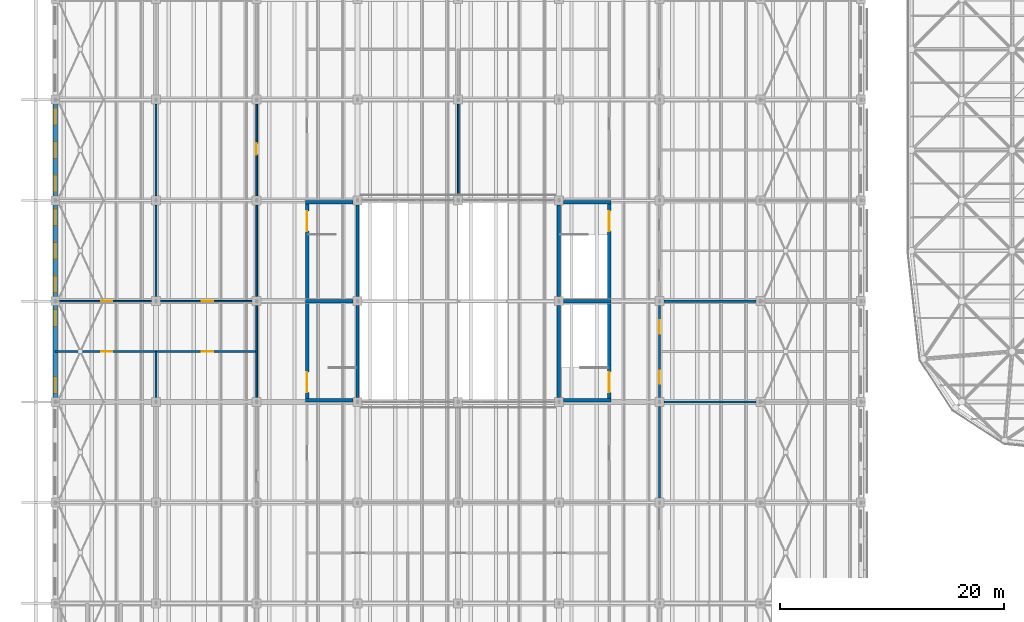
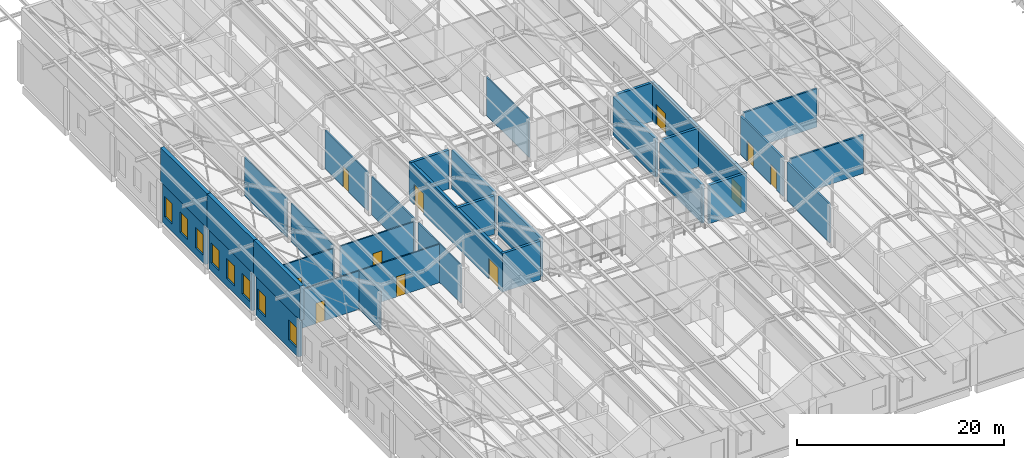
# One storey, part 265 of 437: 32 walls, 11 doors, 8 windows, 19 openings.
"""IFC4 building model written with IfcOpenShell, lengths in metres."""

from ifc_helpers import new_model, si_unit, direction, frame, frame_2d, origin, place, context, subcontext, project, spatial, rectangle, extrude, material, layer, layer_set, type_object, element, fill, save


model = new_model("IFC4")

# Units and contexts
model_context = context("Model", 3, precision=1e-05, world=origin(), true_north=direction((0.0, 1.0)))
body_context = subcontext(model_context, "Body", "Model", "MODEL_VIEW")
ifc_project = project(units=[si_unit("LENGTHUNIT", "METRE"), si_unit("AREAUNIT", "SQUARE_METRE"), si_unit("VOLUMEUNIT", "CUBIC_METRE"), si_unit("PLANEANGLEUNIT", "RADIAN"), si_unit("MASSUNIT", "GRAM", prefix="KILO")], contexts=[model_context])

# Site, building, storey
site_placement = place(None, origin())
site = spatial("IfcSite", under=ifc_project, at=site_placement, CompositionType="ELEMENT")
building_placement = place(site_placement, origin())
building = spatial("IfcBuilding", under=site, at=building_placement, Name="Opaline Strait Convention Centre", CompositionType="ELEMENT")
storey_placement = place(building_placement, frame((0.0, 0.0, 11.5)))
storey = spatial("IfcBuildingStorey", under=building, at=storey_placement, Name="L02", CompositionType="ELEMENT", Elevation=11.5)

# Walls
ifc_material_1 = material(Name="Gypsum board on metal studs with mineral wool")
ifc_layer_1 = layer(ifc_material_1, 0.199951171875)
ifc_layer_set_1 = layer_set([ifc_layer_1], Name="Gypsum board on metal studs with mineral wool")
wall_type_1 = type_object("IfcWallType", Name="Fire partition 200", PredefinedType="PARTITIONING", material=ifc_layer_set_1)
for number, where, z_axis, x_axis, name in (
    (1, (63.39990234375, 45.0, 0.0), (0.0, 0.0, 1.0), (1.0, 0.0, 0.0), "L02 partition"),
    (2, (63.39990234375, 54.0, 0.0), (0.0, 0.0, 1.0), (1.0, 0.0, 0.0), "L02 partition"),
    (3, (63.0, 36.39990234375, 0.0), (0.0, 0.0, 1.0), (0.0, 1.0, 0.0), "L02 partition"),
):
    element("IfcWall", number, at=place(storey_placement, frame(where, z_axis=z_axis, x_axis=x_axis)), inside=storey, type_object=wall_type_1, Name=name, PredefinedType="PARTITIONING", context=body_context, shape_type="SweptSolid", body=[
        extrude(rectangle(XDim=8.2001953125, YDim=0.199951171875, at=frame_2d((4.10009765625, 0.0))), origin(), (0.0, 0.0, 1.0), 4.550048828125),
    ])

# Wall, openings, doors
wall_1_placement = place(storey_placement, frame((63.0, 45.39990234375, 0.0), z_axis=(0.0, 0.0, 1.0), x_axis=(0.0, 1.0, 0.0)))
wall_1 = element("IfcWall", 4, at=wall_1_placement, inside=storey, type_object=wall_type_1, Name="L02 partition", PredefinedType="PARTITIONING", context=body_context, shape_type="SweptSolid", body=[
    extrude(rectangle(XDim=8.2001953125, YDim=0.199951171875, at=frame_2d((4.10009765625, 0.0))), origin(), (0.0, 0.0, 1.0), 4.550048828125),
])
opening_1_placement = place(wall_1_placement, frame((1.199951171875, 0.0, 0.0)))
opening_1 = element("IfcOpeningElement", 5, at=opening_1_placement, cuts=wall_1, Name="Opening R2-047", PredefinedType="OPENING", context=body_context, shape_type="SweptSolid", body=[
    extrude(rectangle(XDim=1.199951171875, YDim=2.39990234375, at=frame_2d((0.60009765625, 1.199951171875))), frame((0.0, 0.10986328125, 0.0), z_axis=(0.0, -1.0, 0.0), x_axis=(1.0, 0.0, 0.0)), (0.0, 0.0, 1.0), 0.219970703125),
])
opening_2_placement = place(wall_1_placement, frame((5.699951171875, 0.0, 0.0)))
opening_2 = element("IfcOpeningElement", 6, at=opening_2_placement, cuts=wall_1, Name="Opening R2-048", PredefinedType="OPENING", context=body_context, shape_type="SweptSolid", body=[
    extrude(rectangle(XDim=1.199951171875, YDim=2.39990234375, at=frame_2d((0.60009765625, 1.199951171875))), frame((0.0, 0.10986328125, 0.0), z_axis=(0.0, -1.0, 0.0), x_axis=(1.0, 0.0, 0.0)), (0.0, 0.0, 1.0), 0.219970703125),
])
ifc_material_2 = material(Name="Galvanised steel door leaf", Category="steel")
door_type_1 = type_object("IfcDoorType", Name="Plant door 1200x2400 FD60", OperationType="SINGLE_SWING_LEFT", PredefinedType="DOOR", material=ifc_material_2)
door_1_placement = place(opening_1_placement, frame((1.199951171875, 0.0, 0.0), z_axis=(0.0, 0.0, 1.0), x_axis=(-1.0, 0.0, 0.0)))
door_1 = element("IfcDoor", 7, at=door_1_placement, inside=storey, type_object=door_type_1, Name="Electrical Room door R2-047", ObjectType="RD6", OperationType="SINGLE_SWING_LEFT", OverallHeight=2.39990234375, OverallWidth=1.199951171875, PredefinedType="DOOR", context=body_context, shape_type="SweptSolid", body=[
    extrude(rectangle(XDim=1.199951171875, YDim=2.39990234375, at=frame_2d((0.60009765625, 1.199951171875))), frame((0.0, 0.02490234375, 0.0), z_axis=(0.0, -1.0, 0.0), x_axis=(1.0, 0.0, 0.0)), (0.0, 0.0, 1.0), 0.050048828125),
])
fill(opening_1, door_1)
door_2_placement = place(opening_2_placement, frame((1.199951171875, 0.0, 0.0), z_axis=(0.0, 0.0, 1.0), x_axis=(-1.0, 0.0, 0.0)))
door_2 = element("IfcDoor", 8, at=door_2_placement, inside=storey, type_object=door_type_1, Name="Communications Room door R2-048", ObjectType="RD6", OperationType="SINGLE_SWING_LEFT", OverallHeight=2.39990234375, OverallWidth=1.199951171875, PredefinedType="DOOR", context=body_context, shape_type="SweptSolid", body=[
    extrude(rectangle(XDim=1.199951171875, YDim=2.39990234375, at=frame_2d((0.60009765625, 1.199951171875))), frame((0.0, 0.02490234375, 0.0), z_axis=(0.0, -1.0, 0.0), x_axis=(1.0, 0.0, 0.0)), (0.0, 0.0, 1.0), 0.050048828125),
])
fill(opening_2, door_2)

ifc_layer_2 = layer(ifc_material_1, 0.14990234375)
ifc_layer_set_2 = layer_set([ifc_layer_2], Name="Gypsum board on metal studs with mineral wool")
wall_type_2 = type_object("IfcWallType", Name="Partition 150", PredefinedType="PARTITIONING", material=ifc_layer_set_2)
wall_2_placement = place(storey_placement, frame((9.0, 49.5, 0.0), z_axis=(0.0, 0.0, 1.0), x_axis=(1.0, 0.0, 0.0)))
wall_2 = element("IfcWall", 9, at=wall_2_placement, inside=storey, type_object=wall_type_2, Name="L02 partition", PredefinedType="PARTITIONING", context=body_context, shape_type="SweptSolid", body=[
    extrude(rectangle(XDim=18.0, YDim=0.14990234375, at=frame_2d((9.0, 0.0))), origin(), (0.0, 0.0, 1.0), 4.550048828125),
])
opening_3_placement = place(wall_2_placement, frame((4.10009765625, 0.0, 0.0)))
opening_3 = element("IfcOpeningElement", 10, at=opening_3_placement, cuts=wall_2, Name="Opening R2-040", PredefinedType="OPENING", context=body_context, shape_type="SweptSolid", body=[
    extrude(rectangle(XDim=1.0, YDim=2.39990234375, at=frame_2d((0.5, 1.199951171875))), frame((0.0, 0.0849609375, 0.0), z_axis=(0.0, -1.0, 0.0), x_axis=(1.0, 0.0, 0.0)), (0.0, 0.0, 1.0), 0.169921875),
])
opening_4_placement = place(wall_2_placement, frame((13.10009765625, 0.0, 0.0)))
opening_4 = element("IfcOpeningElement", 11, at=opening_4_placement, cuts=wall_2, Name="Opening R2-042", PredefinedType="OPENING", context=body_context, shape_type="SweptSolid", body=[
    extrude(rectangle(XDim=1.0, YDim=2.39990234375, at=frame_2d((0.5, 1.199951171875))), frame((0.0, 0.0849609375, 0.0), z_axis=(0.0, -1.0, 0.0), x_axis=(1.0, 0.0, 0.0)), (0.0, 0.0, 1.0), 0.169921875),
])
ifc_material_3 = material(Name="Timber door leaf in steel frame", Category="steel")
door_type_2 = type_object("IfcDoorType", Name="Door 1000x2400 single FD30", OperationType="SINGLE_SWING_LEFT", PredefinedType="DOOR", material=ifc_material_3)
door_3_placement = place(opening_3_placement, origin())
door_3 = element("IfcDoor", 12, at=door_3_placement, inside=storey, type_object=door_type_2, Name="Delegate Office Suite 2.04 door R2-040", ObjectType="RD1", OperationType="SINGLE_SWING_LEFT", OverallHeight=2.39990234375, OverallWidth=1.0, PredefinedType="DOOR", context=body_context, shape_type="SweptSolid", body=[
    extrude(rectangle(XDim=1.0, YDim=2.39990234375, at=frame_2d((0.5, 1.199951171875))), frame((0.0, 0.02490234375, 0.0), z_axis=(0.0, -1.0, 0.0), x_axis=(1.0, 0.0, 0.0)), (0.0, 0.0, 1.0), 0.050048828125),
])
fill(opening_3, door_3)
door_4_placement = place(opening_4_placement, origin())
door_4 = element("IfcDoor", 13, at=door_4_placement, inside=storey, type_object=door_type_2, Name="Delegate Office Suite 2.05 door R2-042", ObjectType="RD1", OperationType="SINGLE_SWING_LEFT", OverallHeight=2.39990234375, OverallWidth=1.0, PredefinedType="DOOR", context=body_context, shape_type="SweptSolid", body=[
    extrude(rectangle(XDim=1.0, YDim=2.39990234375, at=frame_2d((0.5, 1.199951171875))), frame((0.0, 0.02490234375, 0.0), z_axis=(0.0, -1.0, 0.0), x_axis=(1.0, 0.0, 0.0)), (0.0, 0.0, 1.0), 0.050048828125),
])
fill(opening_4, door_4)

# Wall, opening, door
wall_3_placement = place(storey_placement, frame((9.39990234375, 54.0, 0.0), z_axis=(0.0, 0.0, 1.0), x_axis=(1.0, 0.0, 0.0)))
wall_3 = element("IfcWall", 14, at=wall_3_placement, inside=storey, type_object=wall_type_2, Name="L02 partition", PredefinedType="PARTITIONING", context=body_context, shape_type="SweptSolid", body=[
    extrude(rectangle(XDim=8.2001953125, YDim=0.14990234375, at=frame_2d((4.10009765625, 0.0))), origin(), (0.0, 0.0, 1.0), 4.550048828125),
])
opening_5_placement = place(wall_3_placement, frame((3.699951171875, 0.0, 0.0)))
opening_5 = element("IfcOpeningElement", 15, at=opening_5_placement, cuts=wall_3, Name="Opening R2-043", PredefinedType="OPENING", context=body_context, shape_type="SweptSolid", body=[
    extrude(rectangle(XDim=1.0, YDim=2.39990234375, at=frame_2d((0.5, 1.199951171875))), frame((0.0, 0.0849609375, 0.0), z_axis=(0.0, -1.0, 0.0), x_axis=(1.0, 0.0, 0.0)), (0.0, 0.0, 1.0), 0.169921875),
])
door_5_placement = place(opening_5_placement, frame((1.0, 0.0, 0.0), z_axis=(0.0, 0.0, 1.0), x_axis=(-1.0, 0.0, 0.0)))
door_5 = element("IfcDoor", 16, at=door_5_placement, inside=storey, type_object=door_type_2, Name="Delegate Office Suite 2.06 door R2-043", ObjectType="RD1", OperationType="SINGLE_SWING_LEFT", OverallHeight=2.39990234375, OverallWidth=1.0, PredefinedType="DOOR", context=body_context, shape_type="SweptSolid", body=[
    extrude(rectangle(XDim=1.0, YDim=2.39990234375, at=frame_2d((0.5, 1.199951171875))), frame((0.0, 0.02490234375, 0.0), z_axis=(0.0, -1.0, 0.0), x_axis=(1.0, 0.0, 0.0)), (0.0, 0.0, 1.0), 0.050048828125),
])
fill(opening_5, door_5)

wall_4_placement = place(storey_placement, frame((18.39990234375, 54.0, 0.0), z_axis=(0.0, 0.0, 1.0), x_axis=(1.0, 0.0, 0.0)))
wall_4 = element("IfcWall", 17, at=wall_4_placement, inside=storey, type_object=wall_type_2, Name="L02 partition", PredefinedType="PARTITIONING", context=body_context, shape_type="SweptSolid", body=[
    extrude(rectangle(XDim=8.2001953125, YDim=0.14990234375, at=frame_2d((4.10009765625, 0.0))), origin(), (0.0, 0.0, 1.0), 4.550048828125),
])
opening_6_placement = place(wall_4_placement, frame((3.699951171875, 0.0, 0.0)))
opening_6 = element("IfcOpeningElement", 18, at=opening_6_placement, cuts=wall_4, Name="Opening R2-045", PredefinedType="OPENING", context=body_context, shape_type="SweptSolid", body=[
    extrude(rectangle(XDim=1.0, YDim=2.39990234375, at=frame_2d((0.5, 1.199951171875))), frame((0.0, 0.0849609375, 0.0), z_axis=(0.0, -1.0, 0.0), x_axis=(1.0, 0.0, 0.0)), (0.0, 0.0, 1.0), 0.169921875),
])
door_6_placement = place(opening_6_placement, frame((1.0, 0.0, 0.0), z_axis=(0.0, 0.0, 1.0), x_axis=(-1.0, 0.0, 0.0)))
door_6 = element("IfcDoor", 19, at=door_6_placement, inside=storey, type_object=door_type_2, Name="Delegate Office Suite 2.07 door R2-045", ObjectType="RD1", OperationType="SINGLE_SWING_LEFT", OverallHeight=2.39990234375, OverallWidth=1.0, PredefinedType="DOOR", context=body_context, shape_type="SweptSolid", body=[
    extrude(rectangle(XDim=1.0, YDim=2.39990234375, at=frame_2d((0.5, 1.199951171875))), frame((0.0, 0.02490234375, 0.0), z_axis=(0.0, -1.0, 0.0), x_axis=(1.0, 0.0, 0.0)), (0.0, 0.0, 1.0), 0.050048828125),
])
fill(opening_6, door_6)

# Walls
wall_5_placement = place(storey_placement, frame((18.0, 45.39990234375, 0.0), z_axis=(0.0, 0.0, 1.0), x_axis=(0.0, 1.0, 0.0)))
element("IfcWall", 20, at=wall_5_placement, inside=storey, type_object=wall_type_2, Name="L02 partition", PredefinedType="PARTITIONING", context=body_context, shape_type="SweptSolid", body=[
    extrude(rectangle(XDim=4.10009765625, YDim=0.14990234375, at=frame_2d((2.050048828125, 0.0))), origin(), (0.0, 0.0, 1.0), 4.550048828125),
])
for number, where, z_axis, x_axis, name in (
    (21, (18.0, 54.39990234375, 0.0), (0.0, 0.0, 1.0), (0.0, 1.0, 0.0), "L02 partition"),
    (22, (18.0, 63.39990234375, 0.0), (0.0, 0.0, 1.0), (0.0, 1.0, 0.0), "L02 partition"),
    (23, (27.0, 45.39990234375, 0.0), (0.0, 0.0, 1.0), (0.0, 1.0, 0.0), "L02 partition"),
    (24, (27.0, 54.39990234375, 0.0), (0.0, 0.0, 1.0), (0.0, 1.0, 0.0), "L02 partition"),
):
    element("IfcWall", number, at=place(storey_placement, frame(where, z_axis=z_axis, x_axis=x_axis)), inside=storey, type_object=wall_type_2, Name=name, PredefinedType="PARTITIONING", context=body_context, shape_type="SweptSolid", body=[
        extrude(rectangle(XDim=8.2001953125, YDim=0.14990234375, at=frame_2d((4.10009765625, 0.0))), origin(), (0.0, 0.0, 1.0), 4.550048828125),
    ])

# Wall, opening, door
wall_6_placement = place(storey_placement, frame((27.0, 63.39990234375, 0.0), z_axis=(0.0, 0.0, 1.0), x_axis=(0.0, 1.0, 0.0)))
wall_6 = element("IfcWall", 25, at=wall_6_placement, inside=storey, type_object=wall_type_2, Name="L02 partition", PredefinedType="PARTITIONING", context=body_context, shape_type="SweptSolid", body=[
    extrude(rectangle(XDim=8.2001953125, YDim=0.14990234375, at=frame_2d((4.10009765625, 0.0))), origin(), (0.0, 0.0, 1.0), 4.550048828125),
])
opening_7_placement = place(wall_6_placement, frame((3.699951171875, 0.0, 0.0)))
opening_7 = element("IfcOpeningElement", 26, at=opening_7_placement, cuts=wall_6, Name="Opening R2-044", PredefinedType="OPENING", context=body_context, shape_type="SweptSolid", body=[
    extrude(rectangle(XDim=1.0, YDim=2.39990234375, at=frame_2d((0.5, 1.199951171875))), frame((0.0, 0.0849609375, 0.0), z_axis=(0.0, -1.0, 0.0), x_axis=(1.0, 0.0, 0.0)), (0.0, 0.0, 1.0), 0.169921875),
])
door_7_placement = place(opening_7_placement, frame((1.0, 0.0, 0.0), z_axis=(0.0, 0.0, 1.0), x_axis=(-1.0, 0.0, 0.0)))
door_7 = element("IfcDoor", 27, at=door_7_placement, inside=storey, type_object=door_type_2, Name="Delegate Office Suite 2.07 door R2-044", ObjectType="RD1", OperationType="SINGLE_SWING_LEFT", OverallHeight=2.39990234375, OverallWidth=1.0, PredefinedType="DOOR", context=body_context, shape_type="SweptSolid", body=[
    extrude(rectangle(XDim=1.0, YDim=2.39990234375, at=frame_2d((0.5, 1.199951171875))), frame((0.0, 0.02490234375, 0.0), z_axis=(0.0, -1.0, 0.0), x_axis=(1.0, 0.0, 0.0)), (0.0, 0.0, 1.0), 0.050048828125),
])
fill(opening_7, door_7)

# Wall
wall_7_placement = place(storey_placement, frame((45.0, 63.39990234375, 0.0), z_axis=(0.0, 0.0, 1.0), x_axis=(0.0, 1.0, 0.0)))
element("IfcWall", 28, at=wall_7_placement, inside=storey, type_object=wall_type_2, Name="L02 partition", PredefinedType="PARTITIONING", context=body_context, shape_type="SweptSolid", body=[
    extrude(rectangle(XDim=8.2001953125, YDim=0.14990234375, at=frame_2d((4.10009765625, 0.0))), origin(), (0.0, 0.0, 1.0), 4.550048828125),
])

# Wall, openings, doors
ifc_material_4 = material(Name="Concrete C40", Category="concrete")
ifc_layer_3 = layer(ifc_material_4, 0.300048828125)
ifc_layer_set_3 = layer_set([ifc_layer_3], Name="Concrete C40")
wall_type_3 = type_object("IfcWallType", Name="RC wall 300 C40", PredefinedType="SOLIDWALL", material=ifc_layer_set_3)
wall_8_placement = place(storey_placement, frame((58.5, 45.0, 0.0), z_axis=(0.0, 0.0, 1.0), x_axis=(0.0, 1.0, 0.0)))
wall_8 = element("IfcWall", 29, at=wall_8_placement, inside=storey, type_object=wall_type_3, Name="ME core SPINE wall", PredefinedType="SOLIDWALL", context=body_context, shape_type="SweptSolid", body=[
    extrude(rectangle(XDim=18.0, YDim=0.300048828125, at=frame_2d((9.0, 0.0))), origin(), (0.0, 0.0, 1.0), 4.550048828125),
])
opening_8_placement = place(wall_8_placement, frame((0.85009765625, 0.0, 0.0)))
opening_8 = element("IfcOpeningElement", 30, at=opening_8_placement, cuts=wall_8, Name="Opening R2-023", PredefinedType="OPENING", context=body_context, shape_type="SweptSolid", body=[
    extrude(rectangle(XDim=1.800048828125, YDim=2.39990234375, at=frame_2d((0.89990234375, 1.199951171875))), frame((0.0, 0.159912109375, 0.0), z_axis=(0.0, -1.0, 0.0), x_axis=(1.0, 0.0, 0.0)), (0.0, 0.0, 1.0), 0.320068359375),
])
opening_9_placement = place(wall_8_placement, frame((15.25, 0.0, 0.0)))
opening_9 = element("IfcOpeningElement", 31, at=opening_9_placement, cuts=wall_8, Name="Opening R2-024", PredefinedType="OPENING", context=body_context, shape_type="SweptSolid", body=[
    extrude(rectangle(XDim=1.800048828125, YDim=2.39990234375, at=frame_2d((0.89990234375, 1.199951171875))), frame((0.0, 0.159912109375, 0.0), z_axis=(0.0, -1.0, 0.0), x_axis=(1.0, 0.0, 0.0)), (0.0, 0.0, 1.0), 0.320068359375),
])
ifc_material_5 = material(Name="Timber door leaves in steel frame", Category="steel")
door_type_3 = type_object("IfcDoorType", Name="Stair door 1800x2400 double FD60", OperationType="DOUBLE_DOOR_SINGLE_SWING", PredefinedType="DOOR", material=ifc_material_5)
door_8_placement = place(opening_8_placement, frame((1.800048828125, 0.0, 0.0), z_axis=(0.0, 0.0, 1.0), x_axis=(-1.0, 0.0, 0.0)))
door_8 = element("IfcDoor", 32, at=door_8_placement, inside=storey, type_object=door_type_3, Name="Stair door ME R2-023", ObjectType="RD7", OperationType="DOUBLE_DOOR_SINGLE_SWING", OverallHeight=2.39990234375, OverallWidth=1.800048828125, PredefinedType="DOOR", context=body_context, shape_type="SweptSolid", body=[
    extrude(rectangle(XDim=1.800048828125, YDim=2.39990234375, at=frame_2d((0.89990234375, 1.199951171875))), frame((0.0, 0.02490234375, 0.0), z_axis=(0.0, -1.0, 0.0), x_axis=(1.0, 0.0, 0.0)), (0.0, 0.0, 1.0), 0.050048828125),
])
fill(opening_8, door_8)
door_9_placement = place(opening_9_placement, frame((1.800048828125, 0.0, 0.0), z_axis=(0.0, 0.0, 1.0), x_axis=(-1.0, 0.0, 0.0)))
door_9 = element("IfcDoor", 33, at=door_9_placement, inside=storey, type_object=door_type_3, Name="Stair door ME R2-024", ObjectType="RD7", OperationType="DOUBLE_DOOR_SINGLE_SWING", OverallHeight=2.39990234375, OverallWidth=1.800048828125, PredefinedType="DOOR", context=body_context, shape_type="SweptSolid", body=[
    extrude(rectangle(XDim=1.800048828125, YDim=2.39990234375, at=frame_2d((0.89990234375, 1.199951171875))), frame((0.0, 0.02490234375, 0.0), z_axis=(0.0, -1.0, 0.0), x_axis=(1.0, 0.0, 0.0)), (0.0, 0.0, 1.0), 0.050048828125),
])
fill(opening_9, door_9)

# Walls
for number, where, z_axis, x_axis, name in (
    (34, (54.0, 45.39990234375, 0.0), (0.0, 0.0, 1.0), (0.0, 1.0, 0.0), "ME core COURT wall"),
    (35, (54.0, 54.39990234375, 0.0), (0.0, 0.0, 1.0), (0.0, 1.0, 0.0), "ME core COURT wall"),
):
    element("IfcWall", number, at=place(storey_placement, frame(where, z_axis=z_axis, x_axis=x_axis)), inside=storey, type_object=wall_type_3, Name=name, PredefinedType="SOLIDWALL", context=body_context, shape_type="SweptSolid", body=[
        extrude(rectangle(XDim=8.2001953125, YDim=0.300048828125, at=frame_2d((4.10009765625, 0.0))), origin(), (0.0, 0.0, 1.0), 4.550048828125),
    ])
for number, where, z_axis, x_axis, name in (
    (36, (54.39990234375, 45.14990234375, 0.0), (0.0, 0.0, 1.0), (1.0, 0.0, 0.0), "ME core S wall"),
    (37, (54.39990234375, 54.0, 0.0), (0.0, 0.0, 1.0), (1.0, 0.0, 0.0), "ME core MID wall"),
    (38, (54.39990234375, 62.85009765625, 0.0), (0.0, 0.0, 1.0), (1.0, 0.0, 0.0), "ME core N wall"),
):
    element("IfcWall", number, at=place(storey_placement, frame(where, z_axis=z_axis, x_axis=x_axis)), inside=storey, type_object=wall_type_3, Name=name, PredefinedType="SOLIDWALL", context=body_context, shape_type="SweptSolid", body=[
        extrude(rectangle(XDim=4.25, YDim=0.300048828125, at=frame_2d((2.125, 0.0))), origin(), (0.0, 0.0, 1.0), 4.550048828125),
    ])

# Wall, openings, doors
wall_9_placement = place(storey_placement, frame((31.5, 45.0, 0.0), z_axis=(0.0, 0.0, 1.0), x_axis=(0.0, 1.0, 0.0)))
wall_9 = element("IfcWall", 39, at=wall_9_placement, inside=storey, type_object=wall_type_3, Name="MW core SPINE wall", PredefinedType="SOLIDWALL", context=body_context, shape_type="SweptSolid", body=[
    extrude(rectangle(XDim=18.0, YDim=0.300048828125, at=frame_2d((9.0, 0.0))), origin(), (0.0, 0.0, 1.0), 4.550048828125),
])
opening_10_placement = place(wall_9_placement, frame((0.85009765625, 0.0, 0.0)))
opening_10 = element("IfcOpeningElement", 40, at=opening_10_placement, cuts=wall_9, Name="Opening R2-025", PredefinedType="OPENING", context=body_context, shape_type="SweptSolid", body=[
    extrude(rectangle(XDim=1.800048828125, YDim=2.39990234375, at=frame_2d((0.89990234375, 1.199951171875))), frame((0.0, 0.159912109375, 0.0), z_axis=(0.0, -1.0, 0.0), x_axis=(1.0, 0.0, 0.0)), (0.0, 0.0, 1.0), 0.320068359375),
])
opening_11_placement = place(wall_9_placement, frame((15.25, 0.0, 0.0)))
opening_11 = element("IfcOpeningElement", 41, at=opening_11_placement, cuts=wall_9, Name="Opening R2-026", PredefinedType="OPENING", context=body_context, shape_type="SweptSolid", body=[
    extrude(rectangle(XDim=1.800048828125, YDim=2.39990234375, at=frame_2d((0.89990234375, 1.199951171875))), frame((0.0, 0.159912109375, 0.0), z_axis=(0.0, -1.0, 0.0), x_axis=(1.0, 0.0, 0.0)), (0.0, 0.0, 1.0), 0.320068359375),
])
door_10_placement = place(opening_10_placement, origin())
door_10 = element("IfcDoor", 42, at=door_10_placement, inside=storey, type_object=door_type_3, Name="Stair door MW R2-025", ObjectType="RD7", OperationType="DOUBLE_DOOR_SINGLE_SWING", OverallHeight=2.39990234375, OverallWidth=1.800048828125, PredefinedType="DOOR", context=body_context, shape_type="SweptSolid", body=[
    extrude(rectangle(XDim=1.800048828125, YDim=2.39990234375, at=frame_2d((0.89990234375, 1.199951171875))), frame((0.0, 0.02490234375, 0.0), z_axis=(0.0, -1.0, 0.0), x_axis=(1.0, 0.0, 0.0)), (0.0, 0.0, 1.0), 0.050048828125),
])
fill(opening_10, door_10)
door_11_placement = place(opening_11_placement, origin())
door_11 = element("IfcDoor", 43, at=door_11_placement, inside=storey, type_object=door_type_3, Name="Stair door MW R2-026", ObjectType="RD7", OperationType="DOUBLE_DOOR_SINGLE_SWING", OverallHeight=2.39990234375, OverallWidth=1.800048828125, PredefinedType="DOOR", context=body_context, shape_type="SweptSolid", body=[
    extrude(rectangle(XDim=1.800048828125, YDim=2.39990234375, at=frame_2d((0.89990234375, 1.199951171875))), frame((0.0, 0.02490234375, 0.0), z_axis=(0.0, -1.0, 0.0), x_axis=(1.0, 0.0, 0.0)), (0.0, 0.0, 1.0), 0.050048828125),
])
fill(opening_11, door_11)

# Walls
for number, where, z_axis, x_axis, name in (
    (44, (36.0, 45.39990234375, 0.0), (0.0, 0.0, 1.0), (0.0, 1.0, 0.0), "MW core COURT wall"),
    (45, (36.0, 54.39990234375, 0.0), (0.0, 0.0, 1.0), (0.0, 1.0, 0.0), "MW core COURT wall"),
):
    element("IfcWall", number, at=place(storey_placement, frame(where, z_axis=z_axis, x_axis=x_axis)), inside=storey, type_object=wall_type_3, Name=name, PredefinedType="SOLIDWALL", context=body_context, shape_type="SweptSolid", body=[
        extrude(rectangle(XDim=8.2001953125, YDim=0.300048828125, at=frame_2d((4.10009765625, 0.0))), origin(), (0.0, 0.0, 1.0), 4.550048828125),
    ])
for number, where, z_axis, x_axis, name in (
    (46, (31.35009765625, 45.14990234375, 0.0), (0.0, 0.0, 1.0), (1.0, 0.0, 0.0), "MW core S wall"),
    (47, (31.35009765625, 54.0, 0.0), (0.0, 0.0, 1.0), (1.0, 0.0, 0.0), "MW core MID wall"),
    (48, (31.35009765625, 62.85009765625, 0.0), (0.0, 0.0, 1.0), (1.0, 0.0, 0.0), "MW core N wall"),
):
    element("IfcWall", number, at=place(storey_placement, frame(where, z_axis=z_axis, x_axis=x_axis)), inside=storey, type_object=wall_type_3, Name=name, PredefinedType="SOLIDWALL", context=body_context, shape_type="SweptSolid", body=[
        extrude(rectangle(XDim=4.25, YDim=0.300048828125, at=frame_2d((2.125, 0.0))), origin(), (0.0, 0.0, 1.0), 4.550048828125),
    ])
ifc_layer_4 = layer(ifc_material_4, 0.320068359375)
ifc_material_6 = material(Name="Mineral wool insulation")
ifc_layer_5 = layer(ifc_material_6, 0.050048828125)
ifc_material_7 = material(Name="Gypsum board lining")
ifc_layer_6 = layer(ifc_material_7, 0.030029296875)
ifc_layer_set_4 = layer_set([ifc_layer_4, ifc_layer_5, ifc_layer_6], Name="Concrete C40, Mineral wool insulation, Gypsum board lining")
wall_type_4 = type_object("IfcWallType", Name="RC wall 400 C40", PredefinedType="SOLIDWALL", material=ifc_layer_set_4)
for number, where, z_axis, x_axis, name in (
    (49, (9.0, 45.0, 4.550048828125), (0.0, 0.0, 1.0), (0.0, 1.0, 0.0), "W roof infill wall 5"),
    (50, (9.0, 54.0, 4.550048828125), (0.0, 0.0, 1.0), (0.0, 1.0, 0.0), "W roof infill wall 6"),
    (51, (9.0, 63.0, 4.550048828125), (0.0, 0.0, 1.0), (0.0, 1.0, 0.0), "W roof infill wall 7"),
):
    element("IfcWall", number, at=place(storey_placement, frame(where, z_axis=z_axis, x_axis=x_axis)), inside=storey, type_object=wall_type_4, Name=name, PredefinedType="SOLIDWALL", context=body_context, shape_type="SweptSolid", body=[
        extrude(rectangle(XDim=9.0, YDim=0.39990234375, at=frame_2d((4.5, 0.0))), origin(), (0.0, 0.0, 1.0), 4.050048828125),
    ])

# Wall, openings, windows
wall_10_placement = place(storey_placement, frame((9.0, 45.39990234375, 0.0), z_axis=(0.0, 0.0, 1.0), x_axis=(0.0, 1.0, 0.0)))
wall_10 = element("IfcWall", 52, at=wall_10_placement, inside=storey, type_object=wall_type_4, Name="L02 W external wall 5", PredefinedType="SOLIDWALL", context=body_context, shape_type="SweptSolid", body=[
    extrude(rectangle(XDim=8.2001953125, YDim=0.39990234375, at=frame_2d((4.10009765625, 0.0))), origin(), (0.0, 0.0, 1.0), 4.550048828125),
])
opening_12_placement = place(wall_10_placement, frame((0.35009765625, 0.0, 0.89990234375)))
opening_12 = element("IfcOpeningElement", 53, at=opening_12_placement, cuts=wall_10, Name="Opening RWN2", PredefinedType="OPENING", context=body_context, shape_type="SweptSolid", body=[
    extrude(rectangle(XDim=1.5, YDim=2.39990234375, at=frame_2d((0.75, 1.199951171875))), frame((0.0, 0.2099609375, 0.0), z_axis=(0.0, -1.0, 0.0), x_axis=(1.0, 0.0, 0.0)), (0.0, 0.0, 1.0), 0.419921875),
])
opening_13_placement = place(wall_10_placement, frame((6.35009765625, 0.0, 0.89990234375)))
opening_13 = element("IfcOpeningElement", 54, at=opening_13_placement, cuts=wall_10, Name="Opening RWN2", PredefinedType="OPENING", context=body_context, shape_type="SweptSolid", body=[
    extrude(rectangle(XDim=1.5, YDim=2.39990234375, at=frame_2d((0.75, 1.199951171875))), frame((0.0, 0.2099609375, 0.0), z_axis=(0.0, -1.0, 0.0), x_axis=(1.0, 0.0, 0.0)), (0.0, 0.0, 1.0), 0.419921875),
])
ifc_material_8 = material(Name="Aluminium framed double glazing", Category="aluminium")
window_type = type_object("IfcWindowType", Name="Window 1500x2400 sill 900", PartitioningType="SINGLE_PANEL", PredefinedType="WINDOW", material=ifc_material_8)
window_1_placement = place(opening_12_placement, origin())
window_1 = element("IfcWindow", 55, at=window_1_placement, inside=storey, type_object=window_type, Name="Window L02-W5-W1", OverallHeight=2.39990234375, OverallWidth=1.5, PartitioningType="SINGLE_PANEL", PredefinedType="WINDOW", context=body_context, shape_type="SweptSolid", body=[
    extrude(rectangle(XDim=1.5, YDim=2.39990234375, at=frame_2d((0.75, 1.199951171875))), frame((0.0, 0.030029296875, 0.0), z_axis=(0.0, -1.0, 0.0), x_axis=(1.0, 0.0, 0.0)), (0.0, 0.0, 1.0), 0.06005859375),
])
fill(opening_12, window_1)
window_2_placement = place(opening_13_placement, origin())
window_2 = element("IfcWindow", 56, at=window_2_placement, inside=storey, type_object=window_type, Name="Window L02-W5-W3", OverallHeight=2.39990234375, OverallWidth=1.5, PartitioningType="SINGLE_PANEL", PredefinedType="WINDOW", context=body_context, shape_type="SweptSolid", body=[
    extrude(rectangle(XDim=1.5, YDim=2.39990234375, at=frame_2d((0.75, 1.199951171875))), frame((0.0, 0.030029296875, 0.0), z_axis=(0.0, -1.0, 0.0), x_axis=(1.0, 0.0, 0.0)), (0.0, 0.0, 1.0), 0.06005859375),
])
fill(opening_13, window_2)

wall_11_placement = place(storey_placement, frame((9.0, 54.39990234375, 0.0), z_axis=(0.0, 0.0, 1.0), x_axis=(0.0, 1.0, 0.0)))
wall_11 = element("IfcWall", 57, at=wall_11_placement, inside=storey, type_object=wall_type_4, Name="L02 W external wall 6", PredefinedType="SOLIDWALL", context=body_context, shape_type="SweptSolid", body=[
    extrude(rectangle(XDim=8.2001953125, YDim=0.39990234375, at=frame_2d((4.10009765625, 0.0))), origin(), (0.0, 0.0, 1.0), 4.550048828125),
])
opening_14_placement = place(wall_11_placement, frame((0.35009765625, 0.0, 0.89990234375)))
opening_14 = element("IfcOpeningElement", 58, at=opening_14_placement, cuts=wall_11, Name="Opening RWN2", PredefinedType="OPENING", context=body_context, shape_type="SweptSolid", body=[
    extrude(rectangle(XDim=1.5, YDim=2.39990234375, at=frame_2d((0.75, 1.199951171875))), frame((0.0, 0.2099609375, 0.0), z_axis=(0.0, -1.0, 0.0), x_axis=(1.0, 0.0, 0.0)), (0.0, 0.0, 1.0), 0.419921875),
])
opening_15_placement = place(wall_11_placement, frame((3.35009765625, 0.0, 0.89990234375)))
opening_15 = element("IfcOpeningElement", 59, at=opening_15_placement, cuts=wall_11, Name="Opening RWN2", PredefinedType="OPENING", context=body_context, shape_type="SweptSolid", body=[
    extrude(rectangle(XDim=1.5, YDim=2.39990234375, at=frame_2d((0.75, 1.199951171875))), frame((0.0, 0.2099609375, 0.0), z_axis=(0.0, -1.0, 0.0), x_axis=(1.0, 0.0, 0.0)), (0.0, 0.0, 1.0), 0.419921875),
])
opening_16_placement = place(wall_11_placement, frame((6.35009765625, 0.0, 0.89990234375)))
opening_16 = element("IfcOpeningElement", 60, at=opening_16_placement, cuts=wall_11, Name="Opening RWN2", PredefinedType="OPENING", context=body_context, shape_type="SweptSolid", body=[
    extrude(rectangle(XDim=1.5, YDim=2.39990234375, at=frame_2d((0.75, 1.199951171875))), frame((0.0, 0.2099609375, 0.0), z_axis=(0.0, -1.0, 0.0), x_axis=(1.0, 0.0, 0.0)), (0.0, 0.0, 1.0), 0.419921875),
])
window_3_placement = place(opening_14_placement, origin())
window_3 = element("IfcWindow", 61, at=window_3_placement, inside=storey, type_object=window_type, Name="Window L02-W6-W1", OverallHeight=2.39990234375, OverallWidth=1.5, PartitioningType="SINGLE_PANEL", PredefinedType="WINDOW", context=body_context, shape_type="SweptSolid", body=[
    extrude(rectangle(XDim=1.5, YDim=2.39990234375, at=frame_2d((0.75, 1.199951171875))), frame((0.0, 0.030029296875, 0.0), z_axis=(0.0, -1.0, 0.0), x_axis=(1.0, 0.0, 0.0)), (0.0, 0.0, 1.0), 0.06005859375),
])
fill(opening_14, window_3)
window_4_placement = place(opening_15_placement, origin())
window_4 = element("IfcWindow", 62, at=window_4_placement, inside=storey, type_object=window_type, Name="Window L02-W6-W2", OverallHeight=2.39990234375, OverallWidth=1.5, PartitioningType="SINGLE_PANEL", PredefinedType="WINDOW", context=body_context, shape_type="SweptSolid", body=[
    extrude(rectangle(XDim=1.5, YDim=2.39990234375, at=frame_2d((0.75, 1.199951171875))), frame((0.0, 0.030029296875, 0.0), z_axis=(0.0, -1.0, 0.0), x_axis=(1.0, 0.0, 0.0)), (0.0, 0.0, 1.0), 0.06005859375),
])
fill(opening_15, window_4)
window_5_placement = place(opening_16_placement, origin())
window_5 = element("IfcWindow", 63, at=window_5_placement, inside=storey, type_object=window_type, Name="Window L02-W6-W3", OverallHeight=2.39990234375, OverallWidth=1.5, PartitioningType="SINGLE_PANEL", PredefinedType="WINDOW", context=body_context, shape_type="SweptSolid", body=[
    extrude(rectangle(XDim=1.5, YDim=2.39990234375, at=frame_2d((0.75, 1.199951171875))), frame((0.0, 0.030029296875, 0.0), z_axis=(0.0, -1.0, 0.0), x_axis=(1.0, 0.0, 0.0)), (0.0, 0.0, 1.0), 0.06005859375),
])
fill(opening_16, window_5)

wall_12_placement = place(storey_placement, frame((9.0, 63.39990234375, 0.0), z_axis=(0.0, 0.0, 1.0), x_axis=(0.0, 1.0, 0.0)))
wall_12 = element("IfcWall", 64, at=wall_12_placement, inside=storey, type_object=wall_type_4, Name="L02 W external wall 7", PredefinedType="SOLIDWALL", context=body_context, shape_type="SweptSolid", body=[
    extrude(rectangle(XDim=8.2001953125, YDim=0.39990234375, at=frame_2d((4.10009765625, 0.0))), origin(), (0.0, 0.0, 1.0), 4.550048828125),
])
opening_17_placement = place(wall_12_placement, frame((0.35009765625, 0.0, 0.89990234375)))
opening_17 = element("IfcOpeningElement", 65, at=opening_17_placement, cuts=wall_12, Name="Opening RWN2", PredefinedType="OPENING", context=body_context, shape_type="SweptSolid", body=[
    extrude(rectangle(XDim=1.5, YDim=2.39990234375, at=frame_2d((0.75, 1.199951171875))), frame((0.0, 0.2099609375, 0.0), z_axis=(0.0, -1.0, 0.0), x_axis=(1.0, 0.0, 0.0)), (0.0, 0.0, 1.0), 0.419921875),
])
opening_18_placement = place(wall_12_placement, frame((3.35009765625, 0.0, 0.89990234375)))
opening_18 = element("IfcOpeningElement", 66, at=opening_18_placement, cuts=wall_12, Name="Opening RWN2", PredefinedType="OPENING", context=body_context, shape_type="SweptSolid", body=[
    extrude(rectangle(XDim=1.5, YDim=2.39990234375, at=frame_2d((0.75, 1.199951171875))), frame((0.0, 0.2099609375, 0.0), z_axis=(0.0, -1.0, 0.0), x_axis=(1.0, 0.0, 0.0)), (0.0, 0.0, 1.0), 0.419921875),
])
opening_19_placement = place(wall_12_placement, frame((6.35009765625, 0.0, 0.89990234375)))
opening_19 = element("IfcOpeningElement", 67, at=opening_19_placement, cuts=wall_12, Name="Opening RWN2", PredefinedType="OPENING", context=body_context, shape_type="SweptSolid", body=[
    extrude(rectangle(XDim=1.5, YDim=2.39990234375, at=frame_2d((0.75, 1.199951171875))), frame((0.0, 0.2099609375, 0.0), z_axis=(0.0, -1.0, 0.0), x_axis=(1.0, 0.0, 0.0)), (0.0, 0.0, 1.0), 0.419921875),
])
window_6_placement = place(opening_17_placement, origin())
window_6 = element("IfcWindow", 68, at=window_6_placement, inside=storey, type_object=window_type, Name="Window L02-W7-W1", OverallHeight=2.39990234375, OverallWidth=1.5, PartitioningType="SINGLE_PANEL", PredefinedType="WINDOW", context=body_context, shape_type="SweptSolid", body=[
    extrude(rectangle(XDim=1.5, YDim=2.39990234375, at=frame_2d((0.75, 1.199951171875))), frame((0.0, 0.030029296875, 0.0), z_axis=(0.0, -1.0, 0.0), x_axis=(1.0, 0.0, 0.0)), (0.0, 0.0, 1.0), 0.06005859375),
])
fill(opening_17, window_6)
window_7_placement = place(opening_18_placement, origin())
window_7 = element("IfcWindow", 69, at=window_7_placement, inside=storey, type_object=window_type, Name="Window L02-W7-W2", OverallHeight=2.39990234375, OverallWidth=1.5, PartitioningType="SINGLE_PANEL", PredefinedType="WINDOW", context=body_context, shape_type="SweptSolid", body=[
    extrude(rectangle(XDim=1.5, YDim=2.39990234375, at=frame_2d((0.75, 1.199951171875))), frame((0.0, 0.030029296875, 0.0), z_axis=(0.0, -1.0, 0.0), x_axis=(1.0, 0.0, 0.0)), (0.0, 0.0, 1.0), 0.06005859375),
])
fill(opening_18, window_7)
window_8_placement = place(opening_19_placement, origin())
window_8 = element("IfcWindow", 70, at=window_8_placement, inside=storey, type_object=window_type, Name="Window L02-W7-W3", OverallHeight=2.39990234375, OverallWidth=1.5, PartitioningType="SINGLE_PANEL", PredefinedType="WINDOW", context=body_context, shape_type="SweptSolid", body=[
    extrude(rectangle(XDim=1.5, YDim=2.39990234375, at=frame_2d((0.75, 1.199951171875))), frame((0.0, 0.030029296875, 0.0), z_axis=(0.0, -1.0, 0.0), x_axis=(1.0, 0.0, 0.0)), (0.0, 0.0, 1.0), 0.06005859375),
])
fill(opening_19, window_8)

save(model, "model.ifc")
